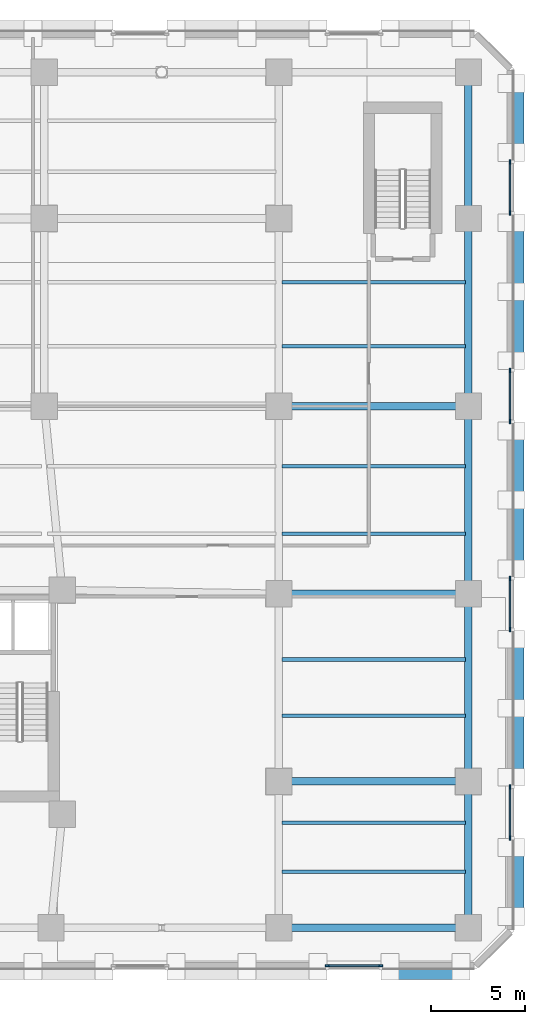
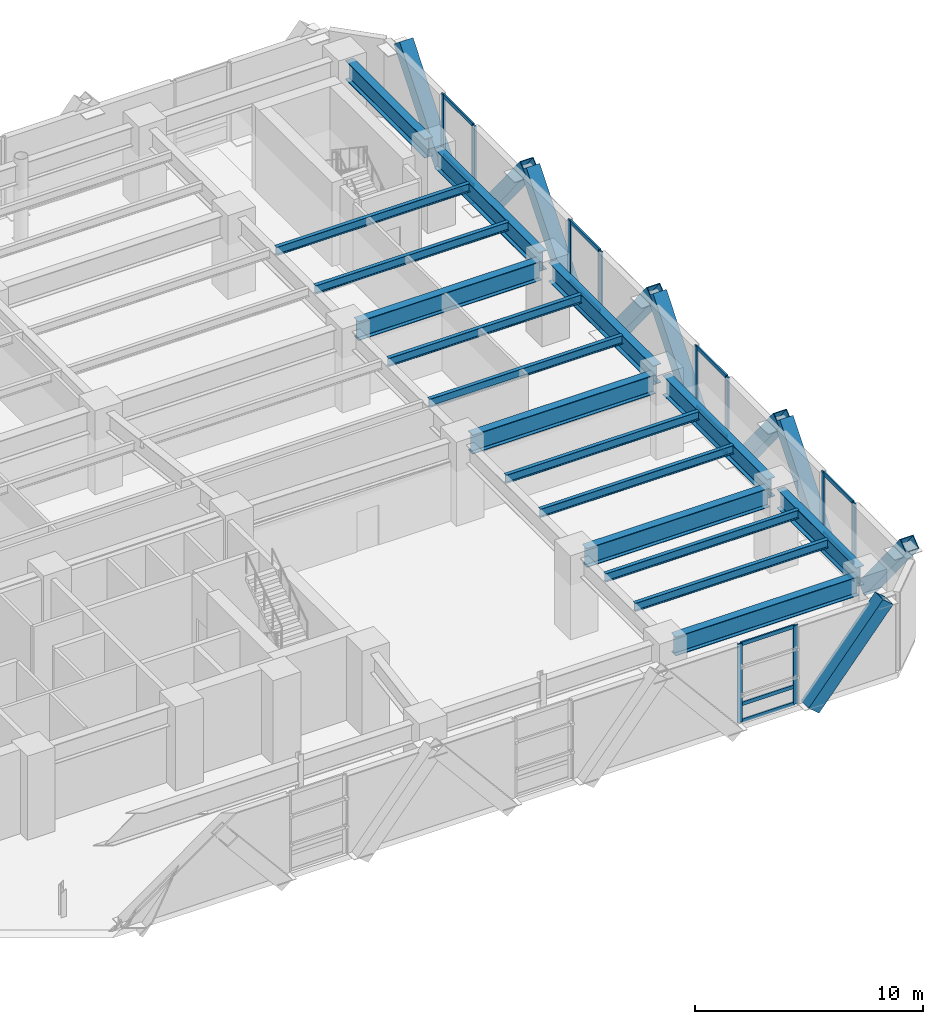
# One storey, part 10 of 26: 34 members, 17 beams, 5 elements without a shape of their own.
"""IFC4 building model written with IfcOpenShell, lengths in metres."""

from ifc_helpers import new_model, si_unit, direction, frame, origin, origin_2d, place, context, subcontext, project, spatial, rectangle, hollow_rectangle, i_section, extrude, material, material_profile, profile_set, type_object, element, aggregate, save


model = new_model("IFC4")

# Units and contexts
model_context = context("Model", 3, precision=1e-05, world=origin(), true_north=direction((0.0, 1.0)))
body_context = subcontext(model_context, "Body", "Model", "MODEL_VIEW")
ifc_project = project(units=[si_unit("LENGTHUNIT", "METRE"), si_unit("AREAUNIT", "SQUARE_METRE"), si_unit("VOLUMEUNIT", "CUBIC_METRE"), si_unit("PLANEANGLEUNIT", "RADIAN"), si_unit("MASSUNIT", "GRAM", prefix="KILO")], contexts=[model_context])

# Site, building, storey
site_placement = place(None, origin())
site = spatial("IfcSite", under=ifc_project, at=site_placement, CompositionType="ELEMENT")
building_placement = place(site_placement, origin())
building = spatial("IfcBuilding", under=site, at=building_placement, Name="Quenlor Broadcast Tower", CompositionType="ELEMENT")
storey_placement = place(building_placement, frame((0.0, 0.0, 14.0)))
storey = spatial("IfcBuildingStorey", under=building, at=storey_placement, Name="L03", CompositionType="ELEMENT", Elevation=14.0)

# Curtain wall, members
ifc_material_1 = material(Name="Architectural Terracotta and Low-E Glazing", Category="masonry")
curtain_wall_type = type_object("IfcCurtainWallType", Name="Station Concourse and Crown Terracotta Curtain Wall", PredefinedType="NOTDEFINED", material=ifc_material_1)
curtain_wall_1_placement = place(storey_placement, origin())
curtain_wall_1 = element("IfcCurtainWall", 1, at=curtain_wall_1_placement, inside=storey, type_object=curtain_wall_type, Name="L03 Curtain Wall CW6 (L03-S-FULL-G1)", PredefinedType="NOTDEFINED")
ifc_material_2 = material(Name="Aluminium 6063-T6", Category="aluminium")
ifc_material_profile_1 = material_profile(ifc_material_2, rectangle(XDim=0.08203125, YDim=0.239990234375, at=origin_2d()))
ifc_profile_set_1 = profile_set([ifc_material_profile_1], Name="Aluminium 6063-T6 MULL82x240")
member_type_1 = type_object("IfcMemberType", Name="CW6 Aluminium Mullion MULL_CW6", PredefinedType="MULLION", material=ifc_profile_set_1)
member_1_placement = place(storey_placement, frame((29.909423828125, -24.820068359375, 0.0), z_axis=(0.0, 0.0, 1.0), x_axis=(0.0, -1.0, 0.0)))
member_1 = element("IfcMember", 2, at=member_1_placement, type_object=member_type_1, Name="CW6 mullion 1", PredefinedType="MULLION", context=body_context, shape_type="SweptSolid", body=[
    extrude(rectangle(XDim=0.08203125, YDim=0.239990234375, at=origin_2d()), origin(), (0.0, 0.0, 1.0), 4.199951171875),
])
member_2_placement = place(storey_placement, frame((27.090576171875, -24.820068359375, 0.0), z_axis=(0.0, 0.0, 1.0), x_axis=(0.0, -1.0, 0.0)))
member_2 = element("IfcMember", 3, at=member_2_placement, type_object=member_type_1, Name="CW6 mullion 2", PredefinedType="MULLION", context=body_context, shape_type="SweptSolid", body=[
    extrude(rectangle(XDim=0.08203125, YDim=0.239990234375, at=origin_2d()), origin(), (0.0, 0.0, 1.0), 4.199951171875),
])

curtain_wall_2_placement = place(storey_placement, origin())
curtain_wall_2 = element("IfcCurtainWall", 4, at=curtain_wall_2_placement, inside=storey, type_object=curtain_wall_type, Name="L03 Curtain Wall CW6 (L03-E-FULL-G1)", PredefinedType="NOTDEFINED")
member_3_placement = place(storey_placement, frame((36.820068359375, 18.00634765625, 0.0), z_axis=(0.0, 0.0, 1.0), x_axis=(1.0, 0.0, 0.0)))
member_3 = element("IfcMember", 5, at=member_3_placement, type_object=member_type_1, Name="CW6 mullion 1", PredefinedType="MULLION", context=body_context, shape_type="SweptSolid", body=[
    extrude(rectangle(XDim=0.08203125, YDim=0.239990234375, at=origin_2d()), origin(), (0.0, 0.0, 1.0), 4.199951171875),
])
member_4_placement = place(storey_placement, frame((36.820068359375, 15.293701171875, 0.0), z_axis=(0.0, 0.0, 1.0), x_axis=(1.0, 0.0, 0.0)))
member_4 = element("IfcMember", 6, at=member_4_placement, type_object=member_type_1, Name="CW6 mullion 2", PredefinedType="MULLION", context=body_context, shape_type="SweptSolid", body=[
    extrude(rectangle(XDim=0.08203125, YDim=0.239990234375, at=origin_2d()), origin(), (0.0, 0.0, 1.0), 4.199951171875),
])

curtain_wall_3_placement = place(storey_placement, origin())
curtain_wall_3 = element("IfcCurtainWall", 7, at=curtain_wall_3_placement, inside=storey, type_object=curtain_wall_type, Name="L03 Curtain Wall CW6 (L03-E-FULL-G2)", PredefinedType="NOTDEFINED")
member_5_placement = place(storey_placement, frame((36.820068359375, 6.90625, 0.0), z_axis=(0.0, 0.0, 1.0), x_axis=(1.0, 0.0, 0.0)))
member_5 = element("IfcMember", 8, at=member_5_placement, type_object=member_type_1, Name="CW6 mullion 1", PredefinedType="MULLION", context=body_context, shape_type="SweptSolid", body=[
    extrude(rectangle(XDim=0.08203125, YDim=0.239990234375, at=origin_2d()), origin(), (0.0, 0.0, 1.0), 4.199951171875),
])
member_6_placement = place(storey_placement, frame((36.820068359375, 4.193603515625, 0.0), z_axis=(0.0, 0.0, 1.0), x_axis=(1.0, 0.0, 0.0)))
member_6 = element("IfcMember", 9, at=member_6_placement, type_object=member_type_1, Name="CW6 mullion 2", PredefinedType="MULLION", context=body_context, shape_type="SweptSolid", body=[
    extrude(rectangle(XDim=0.08203125, YDim=0.239990234375, at=origin_2d()), origin(), (0.0, 0.0, 1.0), 4.199951171875),
])

curtain_wall_4_placement = place(storey_placement, origin())
curtain_wall_4 = element("IfcCurtainWall", 10, at=curtain_wall_4_placement, inside=storey, type_object=curtain_wall_type, Name="L03 Curtain Wall CW6 (L03-E-FULL-G3)", PredefinedType="NOTDEFINED")
member_7_placement = place(storey_placement, frame((36.820068359375, -4.193603515625, 0.0), z_axis=(0.0, 0.0, 1.0), x_axis=(1.0, 0.0, 0.0)))
member_7 = element("IfcMember", 11, at=member_7_placement, type_object=member_type_1, Name="CW6 mullion 1", PredefinedType="MULLION", context=body_context, shape_type="SweptSolid", body=[
    extrude(rectangle(XDim=0.08203125, YDim=0.239990234375, at=origin_2d()), origin(), (0.0, 0.0, 1.0), 4.199951171875),
])
member_8_placement = place(storey_placement, frame((36.820068359375, -6.90625, 0.0), z_axis=(0.0, 0.0, 1.0), x_axis=(1.0, 0.0, 0.0)))
member_8 = element("IfcMember", 12, at=member_8_placement, type_object=member_type_1, Name="CW6 mullion 2", PredefinedType="MULLION", context=body_context, shape_type="SweptSolid", body=[
    extrude(rectangle(XDim=0.08203125, YDim=0.239990234375, at=origin_2d()), origin(), (0.0, 0.0, 1.0), 4.199951171875),
])

curtain_wall_5_placement = place(storey_placement, origin())
curtain_wall_5 = element("IfcCurtainWall", 13, at=curtain_wall_5_placement, inside=storey, type_object=curtain_wall_type, Name="L03 Curtain Wall CW6 (L03-E-FULL-G4)", PredefinedType="NOTDEFINED")
member_9_placement = place(storey_placement, frame((36.820068359375, -15.293701171875, 0.0), z_axis=(0.0, 0.0, 1.0), x_axis=(1.0, 0.0, 0.0)))
member_9 = element("IfcMember", 14, at=member_9_placement, type_object=member_type_1, Name="CW6 mullion 1", PredefinedType="MULLION", context=body_context, shape_type="SweptSolid", body=[
    extrude(rectangle(XDim=0.08203125, YDim=0.239990234375, at=origin_2d()), origin(), (0.0, 0.0, 1.0), 4.199951171875),
])
member_10_placement = place(storey_placement, frame((36.820068359375, -18.00634765625, 0.0), z_axis=(0.0, 0.0, 1.0), x_axis=(1.0, 0.0, 0.0)))
member_10 = element("IfcMember", 15, at=member_10_placement, type_object=member_type_1, Name="CW6 mullion 2", PredefinedType="MULLION", context=body_context, shape_type="SweptSolid", body=[
    extrude(rectangle(XDim=0.08203125, YDim=0.239990234375, at=origin_2d()), origin(), (0.0, 0.0, 1.0), 4.199951171875),
])

# Member
ifc_material_3 = material(Name="Aluminium 6063-T6", Category="aluminium")
ifc_material_profile_2 = material_profile(ifc_material_3, rectangle(XDim=0.08203125, YDim=0.195068359375, at=origin_2d()))
ifc_profile_set_2 = profile_set([ifc_material_profile_2], Name="Aluminium 6063-T6 TRAN82x195")
member_type_2 = type_object("IfcMemberType", Name="CW6 Aluminium Transom TRAN_CW6", PredefinedType="USERDEFINED", material=ifc_profile_set_2)
member_11_placement = place(storey_placement, frame((29.868408203125, -24.820068359375, 0.041015625), z_axis=(-1.0, 0.0, 0.0), x_axis=(0.0, -1.0, 0.0)))
member_11 = element("IfcMember", 16, at=member_11_placement, type_object=member_type_2, Name="CW6 transom 1.1", ObjectType="TRANSOM", PredefinedType="USERDEFINED", context=body_context, shape_type="SweptSolid", body=[
    extrude(rectangle(XDim=0.08203125, YDim=0.195068359375, at=origin_2d()), origin(), (0.0, 0.0, 1.0), 2.73681640625),
])

member_12_placement = place(storey_placement, frame((29.868408203125, -24.820068359375, 0.949951171875), z_axis=(-1.0, 0.0, 0.0), x_axis=(0.0, -1.0, 0.0)))
member_12 = element("IfcMember", 17, at=member_12_placement, type_object=member_type_2, Name="CW6 transom 1.2", ObjectType="TRANSOM", PredefinedType="USERDEFINED", context=body_context, shape_type="SweptSolid", body=[
    extrude(rectangle(XDim=0.08203125, YDim=0.195068359375, at=origin_2d()), origin(), (0.0, 0.0, 1.0), 2.73681640625),
])

member_13_placement = place(storey_placement, frame((29.868408203125, -24.820068359375, 4.158935546875), z_axis=(-1.0, 0.0, 0.0), x_axis=(0.0, -1.0, 0.0)))
member_13 = element("IfcMember", 18, at=member_13_placement, type_object=member_type_2, Name="CW6 transom 1.3", ObjectType="TRANSOM", PredefinedType="USERDEFINED", context=body_context, shape_type="SweptSolid", body=[
    extrude(rectangle(XDim=0.08203125, YDim=0.195068359375, at=origin_2d()), origin(), (0.0, 0.0, 1.0), 2.73681640625),
])

aggregate(curtain_wall_1, [member_1, member_2, member_11, member_12, member_13])

member_14_placement = place(storey_placement, frame((36.820068359375, 17.96533203125, 0.041015625), z_axis=(0.0, -1.0, 0.0), x_axis=(1.0, 0.0, 0.0)))
member_14 = element("IfcMember", 19, at=member_14_placement, type_object=member_type_2, Name="CW6 transom 1.1", ObjectType="TRANSOM", PredefinedType="USERDEFINED", context=body_context, shape_type="SweptSolid", body=[
    extrude(rectangle(XDim=0.08203125, YDim=0.195068359375, at=origin_2d()), origin(), (0.0, 0.0, 1.0), 2.630615234375),
])

member_15_placement = place(storey_placement, frame((36.820068359375, 17.96533203125, 0.949951171875), z_axis=(0.0, -1.0, 0.0), x_axis=(1.0, 0.0, 0.0)))
member_15 = element("IfcMember", 20, at=member_15_placement, type_object=member_type_2, Name="CW6 transom 1.2", ObjectType="TRANSOM", PredefinedType="USERDEFINED", context=body_context, shape_type="SweptSolid", body=[
    extrude(rectangle(XDim=0.08203125, YDim=0.195068359375, at=origin_2d()), origin(), (0.0, 0.0, 1.0), 2.630615234375),
])

member_16_placement = place(storey_placement, frame((36.820068359375, 17.96533203125, 4.158935546875), z_axis=(0.0, -1.0, 0.0), x_axis=(1.0, 0.0, 0.0)))
member_16 = element("IfcMember", 21, at=member_16_placement, type_object=member_type_2, Name="CW6 transom 1.3", ObjectType="TRANSOM", PredefinedType="USERDEFINED", context=body_context, shape_type="SweptSolid", body=[
    extrude(rectangle(XDim=0.08203125, YDim=0.195068359375, at=origin_2d()), origin(), (0.0, 0.0, 1.0), 2.630615234375),
])

aggregate(curtain_wall_2, [member_3, member_4, member_14, member_15, member_16])

member_17_placement = place(storey_placement, frame((36.820068359375, 6.865234375, 0.041015625), z_axis=(0.0, -1.0, 0.0), x_axis=(1.0, 0.0, 0.0)))
member_17 = element("IfcMember", 22, at=member_17_placement, type_object=member_type_2, Name="CW6 transom 1.1", ObjectType="TRANSOM", PredefinedType="USERDEFINED", context=body_context, shape_type="SweptSolid", body=[
    extrude(rectangle(XDim=0.08203125, YDim=0.195068359375, at=origin_2d()), origin(), (0.0, 0.0, 1.0), 2.630615234375),
])

member_18_placement = place(storey_placement, frame((36.820068359375, 6.865234375, 0.949951171875), z_axis=(0.0, -1.0, 0.0), x_axis=(1.0, 0.0, 0.0)))
member_18 = element("IfcMember", 23, at=member_18_placement, type_object=member_type_2, Name="CW6 transom 1.2", ObjectType="TRANSOM", PredefinedType="USERDEFINED", context=body_context, shape_type="SweptSolid", body=[
    extrude(rectangle(XDim=0.08203125, YDim=0.195068359375, at=origin_2d()), origin(), (0.0, 0.0, 1.0), 2.630615234375),
])

member_19_placement = place(storey_placement, frame((36.820068359375, 6.865234375, 4.158935546875), z_axis=(0.0, -1.0, 0.0), x_axis=(1.0, 0.0, 0.0)))
member_19 = element("IfcMember", 24, at=member_19_placement, type_object=member_type_2, Name="CW6 transom 1.3", ObjectType="TRANSOM", PredefinedType="USERDEFINED", context=body_context, shape_type="SweptSolid", body=[
    extrude(rectangle(XDim=0.08203125, YDim=0.195068359375, at=origin_2d()), origin(), (0.0, 0.0, 1.0), 2.630615234375),
])

aggregate(curtain_wall_3, [member_5, member_6, member_17, member_18, member_19])

member_20_placement = place(storey_placement, frame((36.820068359375, -4.234619140625, 0.041015625), z_axis=(0.0, -1.0, 0.0), x_axis=(1.0, 0.0, 0.0)))
member_20 = element("IfcMember", 25, at=member_20_placement, type_object=member_type_2, Name="CW6 transom 1.1", ObjectType="TRANSOM", PredefinedType="USERDEFINED", context=body_context, shape_type="SweptSolid", body=[
    extrude(rectangle(XDim=0.08203125, YDim=0.195068359375, at=origin_2d()), origin(), (0.0, 0.0, 1.0), 2.630615234375),
])

member_21_placement = place(storey_placement, frame((36.820068359375, -4.234619140625, 0.949951171875), z_axis=(0.0, -1.0, 0.0), x_axis=(1.0, 0.0, 0.0)))
member_21 = element("IfcMember", 26, at=member_21_placement, type_object=member_type_2, Name="CW6 transom 1.2", ObjectType="TRANSOM", PredefinedType="USERDEFINED", context=body_context, shape_type="SweptSolid", body=[
    extrude(rectangle(XDim=0.08203125, YDim=0.195068359375, at=origin_2d()), origin(), (0.0, 0.0, 1.0), 2.630615234375),
])

member_22_placement = place(storey_placement, frame((36.820068359375, -4.234619140625, 4.158935546875), z_axis=(0.0, -1.0, 0.0), x_axis=(1.0, 0.0, 0.0)))
member_22 = element("IfcMember", 27, at=member_22_placement, type_object=member_type_2, Name="CW6 transom 1.3", ObjectType="TRANSOM", PredefinedType="USERDEFINED", context=body_context, shape_type="SweptSolid", body=[
    extrude(rectangle(XDim=0.08203125, YDim=0.195068359375, at=origin_2d()), origin(), (0.0, 0.0, 1.0), 2.630615234375),
])

aggregate(curtain_wall_4, [member_7, member_8, member_20, member_21, member_22])

member_23_placement = place(storey_placement, frame((36.820068359375, -15.334716796875, 0.041015625), z_axis=(0.0, -1.0, 0.0), x_axis=(1.0, 0.0, 0.0)))
member_23 = element("IfcMember", 28, at=member_23_placement, type_object=member_type_2, Name="CW6 transom 1.1", ObjectType="TRANSOM", PredefinedType="USERDEFINED", context=body_context, shape_type="SweptSolid", body=[
    extrude(rectangle(XDim=0.08203125, YDim=0.195068359375, at=origin_2d()), origin(), (0.0, 0.0, 1.0), 2.630615234375),
])

member_24_placement = place(storey_placement, frame((36.820068359375, -15.334716796875, 0.949951171875), z_axis=(0.0, -1.0, 0.0), x_axis=(1.0, 0.0, 0.0)))
member_24 = element("IfcMember", 29, at=member_24_placement, type_object=member_type_2, Name="CW6 transom 1.2", ObjectType="TRANSOM", PredefinedType="USERDEFINED", context=body_context, shape_type="SweptSolid", body=[
    extrude(rectangle(XDim=0.08203125, YDim=0.195068359375, at=origin_2d()), origin(), (0.0, 0.0, 1.0), 2.630615234375),
])

member_25_placement = place(storey_placement, frame((36.820068359375, -15.334716796875, 4.158935546875), z_axis=(0.0, -1.0, 0.0), x_axis=(1.0, 0.0, 0.0)))
member_25 = element("IfcMember", 30, at=member_25_placement, type_object=member_type_2, Name="CW6 transom 1.3", ObjectType="TRANSOM", PredefinedType="USERDEFINED", context=body_context, shape_type="SweptSolid", body=[
    extrude(rectangle(XDim=0.08203125, YDim=0.195068359375, at=origin_2d()), origin(), (0.0, 0.0, 1.0), 2.630615234375),
])

aggregate(curtain_wall_5, [member_9, member_10, member_23, member_24, member_25])

# Members
ifc_material_4 = material(Name="Steel S355", Category="steel")
ifc_material_profile_3 = material_profile(ifc_material_4, hollow_rectangle(XDim=0.679931640625, YDim=0.679931640625, WallThickness=0.034912109375, at=origin_2d()))
ifc_profile_set_3 = profile_set([ifc_material_profile_3], Name="Steel S355 RHS680x680x35")
member_type_3 = type_object("IfcMemberType", Name="Perimeter Diagonal Lattice Brace Z1 Steel S355 RHS680x35", PredefinedType="BRACE", material=ifc_profile_set_3)
member_26_placement = place(storey_placement, frame((30.4228515625, -25.215087890625, -0.1201171875), z_axis=(0.640626831312, 0.0, 0.767852370578), x_axis=(0.0, 1.0, 0.0)))
element("IfcMember", 31, at=member_26_placement, inside=storey, type_object=member_type_3, Name="L03 Podium Diamond Lattice S-P1B", PredefinedType="BRACE", context=body_context, shape_type="SweptSolid", body=[
    extrude(hollow_rectangle(XDim=0.679931640625, YDim=0.679931640625, WallThickness=0.034912109375, at=origin_2d()), origin(), (0.0, 0.0, 1.0), 5.860595703125),
])
for number, where, z_axis, x_axis, name in (
    (32, (37.215087890625, 14.77783203125, -0.1201171875), (0.0, -0.630516526394, 0.776175824117), (1.0, 0.0, 0.0), "L03 Podium Diamond Lattice E-P1S"),
    (33, (37.215087890625, 18.522216796875, -0.1201171875), (0.0, 0.630516526394, 0.776175824117), (-1.0, 0.0, 0.0), "L03 Podium Diamond Lattice E-P1B"),
    (34, (37.215087890625, 3.677734375, -0.1201171875), (0.0, -0.630516526394, 0.776175824117), (1.0, 0.0, 0.0), "L03 Podium Diamond Lattice E-P2S"),
):
    element("IfcMember", number, at=place(storey_placement, frame(where, z_axis=z_axis, x_axis=x_axis)), inside=storey, type_object=member_type_3, Name=name, PredefinedType="BRACE", context=body_context, shape_type="SweptSolid", body=[
        extrude(hollow_rectangle(XDim=0.679931640625, YDim=0.679931640625, WallThickness=0.034912109375, at=origin_2d()), origin(), (0.0, 0.0, 1.0), 5.797607421875),
    ])
for number, where, z_axis, x_axis, name in (
    (35, (37.215087890625, 7.422119140625, -0.1201171875), (0.0, 0.630541894648, 0.776155215851), (-1.0, 0.0, 0.0), "L03 Podium Diamond Lattice E-P2B"),
    (36, (37.215087890625, -7.422119140625, -0.1201171875), (0.0, -0.630541894648, 0.776155215851), (1.0, 0.0, 0.0), "L03 Podium Diamond Lattice E-P3S"),
):
    element("IfcMember", number, at=place(storey_placement, frame(where, z_axis=z_axis, x_axis=x_axis)), inside=storey, type_object=member_type_3, Name=name, PredefinedType="BRACE", context=body_context, shape_type="SweptSolid", body=[
        extrude(hollow_rectangle(XDim=0.679931640625, YDim=0.679931640625, WallThickness=0.034912109375, at=origin_2d()), origin(), (0.0, 0.0, 1.0), 5.7978515625),
    ])
for number, where, z_axis, x_axis, name in (
    (37, (37.215087890625, -3.677734375, -0.1201171875), (0.0, 0.630516526394, 0.776175824117), (-1.0, 0.0, 0.0), "L03 Podium Diamond Lattice E-P3B"),
    (38, (37.215087890625, -18.522216796875, -0.1201171875), (0.0, -0.630516526394, 0.776175824117), (1.0, 0.0, 0.0), "L03 Podium Diamond Lattice E-P4S"),
    (39, (37.215087890625, -14.77783203125, -0.1201171875), (0.0, 0.630516526394, 0.776175824117), (-1.0, 0.0, 0.0), "L03 Podium Diamond Lattice E-P4B"),
):
    element("IfcMember", number, at=place(storey_placement, frame(where, z_axis=z_axis, x_axis=x_axis)), inside=storey, type_object=member_type_3, Name=name, PredefinedType="BRACE", context=body_context, shape_type="SweptSolid", body=[
        extrude(hollow_rectangle(XDim=0.679931640625, YDim=0.679931640625, WallThickness=0.034912109375, at=origin_2d()), origin(), (0.0, 0.0, 1.0), 5.797607421875),
    ])

# Beams
ifc_material_5 = material(Name="Steel S355", Category="steel")
ifc_material_profile_4 = material_profile(ifc_material_5, i_section(OverallWidth=0.39990234375, OverallDepth=1.02392578125, WebThickness=0.01611328125, FlangeThickness=0.031982421875, FilletRadius=0.01611328125, at=origin_2d()))
ifc_profile_set_4 = profile_set([ifc_material_profile_4], Name="Steel S355 1000WB322")
beam_type_1 = type_object("IfcBeamType", Name="Podium Concourse Girder Steel S355 1000WB322", PredefinedType="BEAM", material=ifc_profile_set_4)
for number, where, z_axis, x_axis, name in (
    (40, (24.919921875, -22.800048828125, 3.68798828125), (1.0, 0.0, 0.0), (0.0, 1.0, 0.0), "L03 Podium Girder 9"),
    (41, (24.919921875, -15.0, 3.68798828125), (1.0, 0.0, 0.0), (0.0, 1.0, 0.0), "L03 Podium Girder 11"),
    (42, (24.919921875, -5.0, 3.68798828125), (1.0, 0.0, 0.0), (0.0, 1.0, 0.0), "L03 Podium Girder 13"),
    (43, (24.919921875, 5.0, 3.68798828125), (1.0, 0.0, 0.0), (0.0, 1.0, 0.0), "L03 Podium Girder 18"),
):
    element("IfcBeam", number, at=place(storey_placement, frame(where, z_axis=z_axis, x_axis=x_axis)), inside=storey, type_object=beam_type_1, Name=name, PredefinedType="BEAM", context=body_context, shape_type="SweptSolid", body=[
        extrude(i_section(OverallWidth=0.39990234375, OverallDepth=1.02392578125, WebThickness=0.01611328125, FlangeThickness=0.031982421875, FilletRadius=0.01611328125, at=origin_2d()), origin(), (0.0, 0.0, 1.0), 9.260009765625),
    ])
beam_1_placement = place(storey_placement, frame((34.60009765625, -22.3798828125, 3.68798828125), z_axis=(0.0, 1.0, 0.0), x_axis=(-1.0, 0.0, 0.0)))
element("IfcBeam", 44, at=beam_1_placement, inside=storey, type_object=beam_type_1, Name="L03 Podium Girder 49", PredefinedType="BEAM", context=body_context, shape_type="SweptSolid", body=[
    extrude(i_section(OverallWidth=0.39990234375, OverallDepth=1.02392578125, WebThickness=0.01611328125, FlangeThickness=0.031982421875, FilletRadius=0.01611328125, at=origin_2d()), origin(), (0.0, 0.0, 1.0), 6.9599609375),
])
for number, where, z_axis, x_axis, name in (
    (45, (34.60009765625, -14.580078125, 3.68798828125), (0.0, 1.0, 0.0), (-1.0, 0.0, 0.0), "L03 Podium Girder 50"),
    (46, (34.60009765625, -4.580078125, 3.68798828125), (0.0, 1.0, 0.0), (-1.0, 0.0, 0.0), "L03 Podium Girder 51"),
    (47, (34.60009765625, 5.419921875, 3.68798828125), (0.0, 1.0, 0.0), (-1.0, 0.0, 0.0), "L03 Podium Girder 52"),
):
    element("IfcBeam", number, at=place(storey_placement, frame(where, z_axis=z_axis, x_axis=x_axis)), inside=storey, type_object=beam_type_1, Name=name, PredefinedType="BEAM", context=body_context, shape_type="SweptSolid", body=[
        extrude(i_section(OverallWidth=0.39990234375, OverallDepth=1.02392578125, WebThickness=0.01611328125, FlangeThickness=0.031982421875, FilletRadius=0.01611328125, at=origin_2d()), origin(), (0.0, 0.0, 1.0), 9.16015625),
    ])
beam_2_placement = place(storey_placement, frame((34.60009765625, 15.419921875, 3.68798828125), z_axis=(0.0, 1.0, 0.0), x_axis=(-1.0, 0.0, 0.0)))
element("IfcBeam", 48, at=beam_2_placement, inside=storey, type_object=beam_type_1, Name="L03 Podium Girder 53", PredefinedType="BEAM", context=body_context, shape_type="SweptSolid", body=[
    extrude(i_section(OverallWidth=0.39990234375, OverallDepth=1.02392578125, WebThickness=0.01611328125, FlangeThickness=0.031982421875, FilletRadius=0.01611328125, at=origin_2d()), origin(), (0.0, 0.0, 1.0), 6.9599609375),
])
ifc_material_6 = material(Name="Steel S355", Category="steel")
ifc_material_profile_5 = material_profile(ifc_material_6, i_section(OverallWidth=0.18994140625, OverallDepth=0.453857421875, WebThickness=0.008544921875, FlangeThickness=0.0126953125, FilletRadius=0.011474609375, at=origin_2d()))
ifc_profile_set_5 = profile_set([ifc_material_profile_5], Name="Steel S355 460UB67.1")
beam_type_2 = type_object("IfcBeamType", Name="Podium Floor Joist Steel S355 460UB67.1", PredefinedType="JOIST", material=ifc_profile_set_5)
for number, where, z_axis, x_axis, name in (
    (49, (24.659912109375, 8.199951171875, 3.97314453125), (1.0, 0.0, 0.0), (0.0, 1.0, 0.0), "L03 Podium Floor Joist 5"),
    (50, (24.659912109375, 11.60009765625, 3.97314453125), (1.0, 0.0, 0.0), (0.0, 1.0, 0.0), "L03 Podium Floor Joist 10"),
    (51, (24.659912109375, -19.800048828125, 3.97314453125), (1.0, 0.0, 0.0), (0.0, 1.0, 0.0), "L03 Podium Floor Joist 22"),
    (52, (24.659912109375, -17.199951171875, 3.97314453125), (1.0, 0.0, 0.0), (0.0, 1.0, 0.0), "L03 Podium Floor Joist 24"),
    (53, (24.659912109375, -11.5, 3.97314453125), (1.0, 0.0, 0.0), (0.0, 1.0, 0.0), "L03 Podium Floor Joist 26"),
    (54, (24.659912109375, -8.5, 3.97314453125), (1.0, 0.0, 0.0), (0.0, 1.0, 0.0), "L03 Podium Floor Joist 28"),
    (55, (24.659912109375, -1.800048828125, 3.97314453125), (1.0, 0.0, 0.0), (0.0, 1.0, 0.0), "L03 Podium Floor Joist 30"),
    (56, (24.659912109375, 1.800048828125, 3.97314453125), (1.0, 0.0, 0.0), (0.0, 1.0, 0.0), "L03 Podium Floor Joist 32"),
):
    element("IfcBeam", number, at=place(storey_placement, frame(where, z_axis=z_axis, x_axis=x_axis)), inside=storey, type_object=beam_type_2, Name=name, PredefinedType="JOIST", context=body_context, shape_type="SweptSolid", body=[
        extrude(i_section(OverallWidth=0.18994140625, OverallDepth=0.453857421875, WebThickness=0.008544921875, FlangeThickness=0.0126953125, FilletRadius=0.011474609375, at=origin_2d()), origin(), (0.0, 0.0, 1.0), 9.780029296875),
    ])

save(model, "model.ifc")
